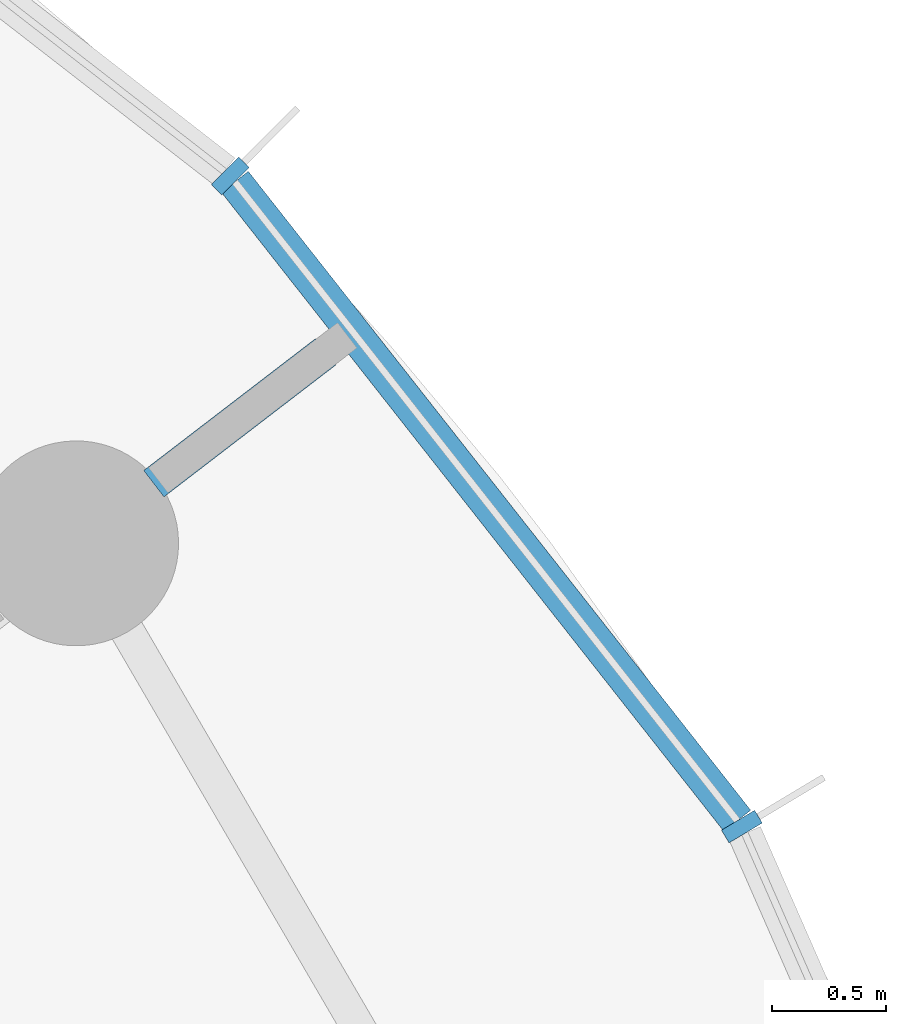
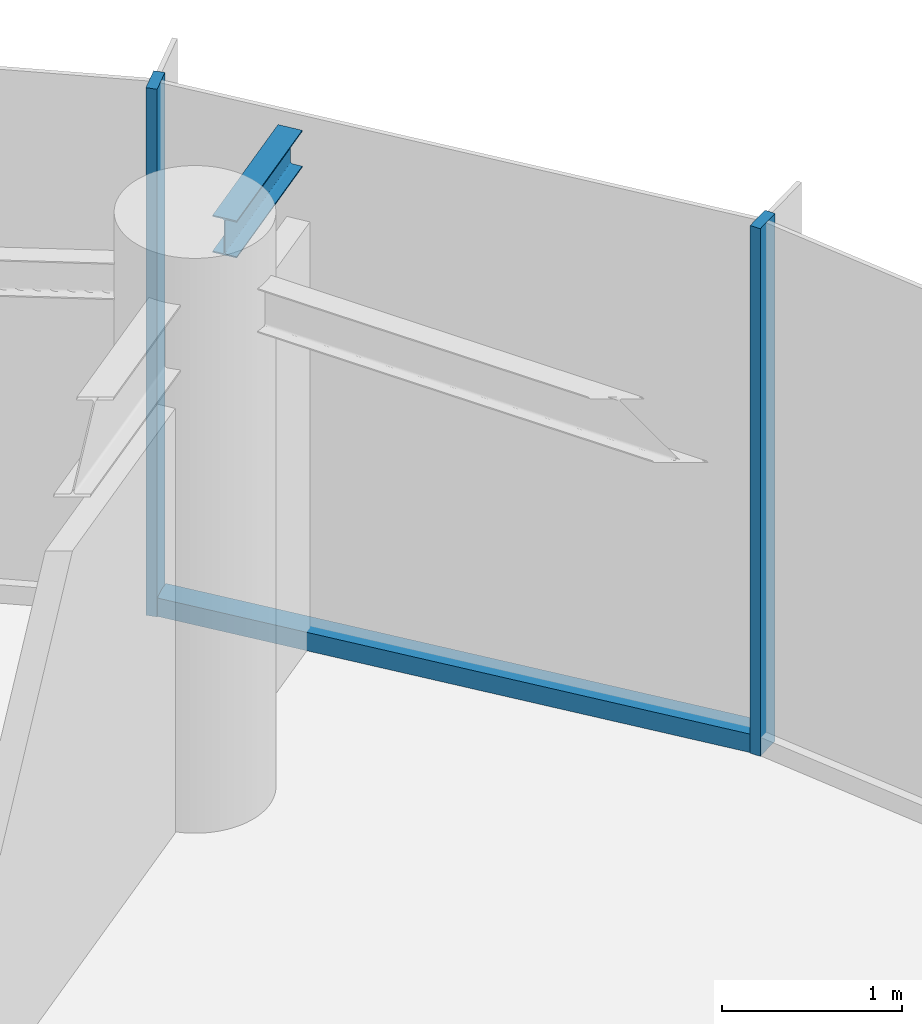
# One storey, part 7 of 14: 3 members, 1 beam, 1 element without a shape of its own.
"""IFC4 building model written with IfcOpenShell, lengths in metres."""

from ifc_helpers import new_model, si_unit, direction, frame, origin, origin_2d, place, context, subcontext, project, spatial, rectangle, i_section, extrude, source, transform, mapped, material, layer, layer_set, material_profile, profile_set, type_object, element, aggregate, save


model = new_model("IFC4")

# Units and contexts
model_context = context("Model", 3, precision=1e-05, world=origin(), true_north=direction((0.0, 1.0)))
body_context = subcontext(model_context, "Body", "Model", "MODEL_VIEW")
ifc_project = project(units=[si_unit("LENGTHUNIT", "METRE"), si_unit("AREAUNIT", "SQUARE_METRE"), si_unit("VOLUMEUNIT", "CUBIC_METRE"), si_unit("PLANEANGLEUNIT", "RADIAN"), si_unit("MASSUNIT", "GRAM", prefix="KILO")], contexts=[model_context])

# Site, building, storey
site_placement = place(None, origin())
site = spatial("IfcSite", under=ifc_project, at=site_placement, CompositionType="ELEMENT")
building_placement = place(site_placement, origin())
building = spatial("IfcBuilding", under=site, at=building_placement, Name="Spindrift Exchange Tower", CompositionType="ELEMENT")
storey_placement = place(building_placement, frame((0.0, 0.0, 207.199951171875)))
storey = spatial("IfcBuildingStorey", under=building, at=storey_placement, Name="L50", CompositionType="ELEMENT", Elevation=207.199951171875)

# Beam
ifc_material_1 = material(Name="Steel Grade 300", Category="steel")
ifc_material_profile_1 = material_profile(ifc_material_1, i_section(OverallWidth=0.14599609375, OverallDepth=0.251953125, WebThickness=0.006103515625, FlangeThickness=0.008544921875, FilletRadius=0.011962890625, at=origin_2d()), Name="250UB31.4")
ifc_profile_set_1 = profile_set([ifc_material_profile_1], Name="Steel Grade 300")
beam_type = type_object("IfcBeamType", Name="Cantilever Beam 250UB31.4 Steel Grade 300", PredefinedType="BEAM", material=ifc_profile_set_1)
shared_shape_1 = source(origin(), body_context, "Body", "SweptSolid", [
    extrude(i_section(OverallWidth=0.14599609375, OverallDepth=0.251953125, WebThickness=0.006103515625, FlangeThickness=0.008544921875, FilletRadius=0.011962890625, at=origin_2d()), origin(), (0.0, 0.0, 1.0), 0.95166015625),
])
beam_placement = place(storey_placement, frame((70.143310546875, 61.921875, 3.4541015625), z_axis=(0.793300680677, 0.608830050209, 0.0), x_axis=(-0.608830050209, 0.793300680677, 0.0)))
element("IfcBeam", 1, at=beam_placement, inside=storey, type_object=beam_type, Name="L50 cantilever beam R03T", PredefinedType="BEAM", context=body_context, shape_type="MappedRepresentation", body=[
    mapped(shared_shape_1, transform((0.0, 0.0, 0.0), scale=1.0)),
])

# Curtain wall, members
ifc_material_2 = material(Name="Fritted laminated glass with bronze frame", Category="glass")
ifc_layer = layer(ifc_material_2, 0.169921875)
ifc_layer_set = layer_set([ifc_layer], Name="ZONE 4 BRONZE FRITTED WALL")
curtain_wall_type = type_object("IfcCurtainWallType", Name="ZONE 4 BRONZE FRITTED WALL", PredefinedType="NOTDEFINED", material=ifc_layer_set)
curtain_wall_placement = place(storey_placement, origin())
curtain_wall = element("IfcCurtainWall", 2, at=curtain_wall_placement, inside=storey, type_object=curtain_wall_type, Name="L50 Zone 4 Bronze Fritted Wall run 1", PredefinedType="NOTDEFINED")
ifc_material_3 = material(Name="Bronze anodised aluminium", Category="aluminium")
ifc_material_profile_2 = material_profile(ifc_material_3, rectangle(XDim=0.06494140625, YDim=0.169921875, at=origin_2d()), Name="ZONE 4 BRONZE FRITTED WALL MULLION 65X170")
ifc_profile_set_2 = profile_set([ifc_material_profile_2], Name="Bronze anodised aluminium")
member_type_1 = type_object("IfcMemberType", Name="ZONE 4 BRONZE FRITTED WALL MULLION 65X170", PredefinedType="MULLION", material=ifc_profile_set_2)
shared_shape_2 = source(origin(), body_context, "Body", "SweptSolid", [
    extrude(rectangle(XDim=0.06494140625, YDim=0.169921875, at=origin_2d()), origin(), (0.0, 0.0, 1.0), 3.580078125),
])
member_1_placement = place(storey_placement, frame((72.726318359375, 60.415771484375, 0.0), z_axis=(0.0, 0.0, 1.0), x_axis=(-0.513877690784, 0.857863461697, 0.0)))
member_1 = element("IfcMember", 3, at=member_1_placement, type_object=member_type_1, Name="L50 mullion CW-4.1", PredefinedType="MULLION", context=body_context, shape_type="MappedRepresentation", body=[
    mapped(shared_shape_2, transform((0.0, 0.0, 0.0), scale=1.0)),
])
member_2_placement = place(storey_placement, frame((70.479248046875, 63.273193359375, 0.0), z_axis=(0.0, 0.0, 1.0), x_axis=(-0.709241939571, 0.704965155986, 0.0)))
member_2 = element("IfcMember", 4, at=member_2_placement, type_object=member_type_1, Name="L50 mullion CW-4.2", PredefinedType="MULLION", context=body_context, shape_type="MappedRepresentation", body=[
    mapped(shared_shape_2, transform((0.0, 0.0, 0.0), scale=1.0)),
])
ifc_material_profile_3 = material_profile(ifc_material_3, rectangle(XDim=0.14990234375, YDim=0.125, at=origin_2d()), Name="ZONE 4 BRONZE FRITTED WALL TRANSOM 150X125")
ifc_profile_set_3 = profile_set([ifc_material_profile_3], Name="Bronze anodised aluminium")
member_type_2 = type_object("IfcMemberType", Name="ZONE 4 BRONZE FRITTED WALL TRANSOM 150X125", PredefinedType="USERDEFINED", material=ifc_profile_set_3)
shared_shape_3 = source(origin(), body_context, "Body", "SweptSolid", [
    extrude(rectangle(XDim=0.14990234375, YDim=0.125, at=origin_2d()), origin(), (0.0, 0.0, 1.0), 3.570556640625),
])
member_3_placement = place(storey_placement, frame((72.706298828125, 60.441162109375, 0.0625), z_axis=(-0.618135566115, 0.786071511953, 0.0), x_axis=(-0.786071511953, -0.618135566115, 0.0)))
member_3 = element("IfcMember", 5, at=member_3_placement, type_object=member_type_2, Name="L50 transom CW-4.1", ObjectType="TRANSOM", PredefinedType="USERDEFINED", context=body_context, shape_type="MappedRepresentation", body=[
    mapped(shared_shape_3, transform((0.0, 0.0, 0.0), scale=1.0)),
])
aggregate(curtain_wall, [member_1, member_3, member_2])

save(model, "model.ifc")
